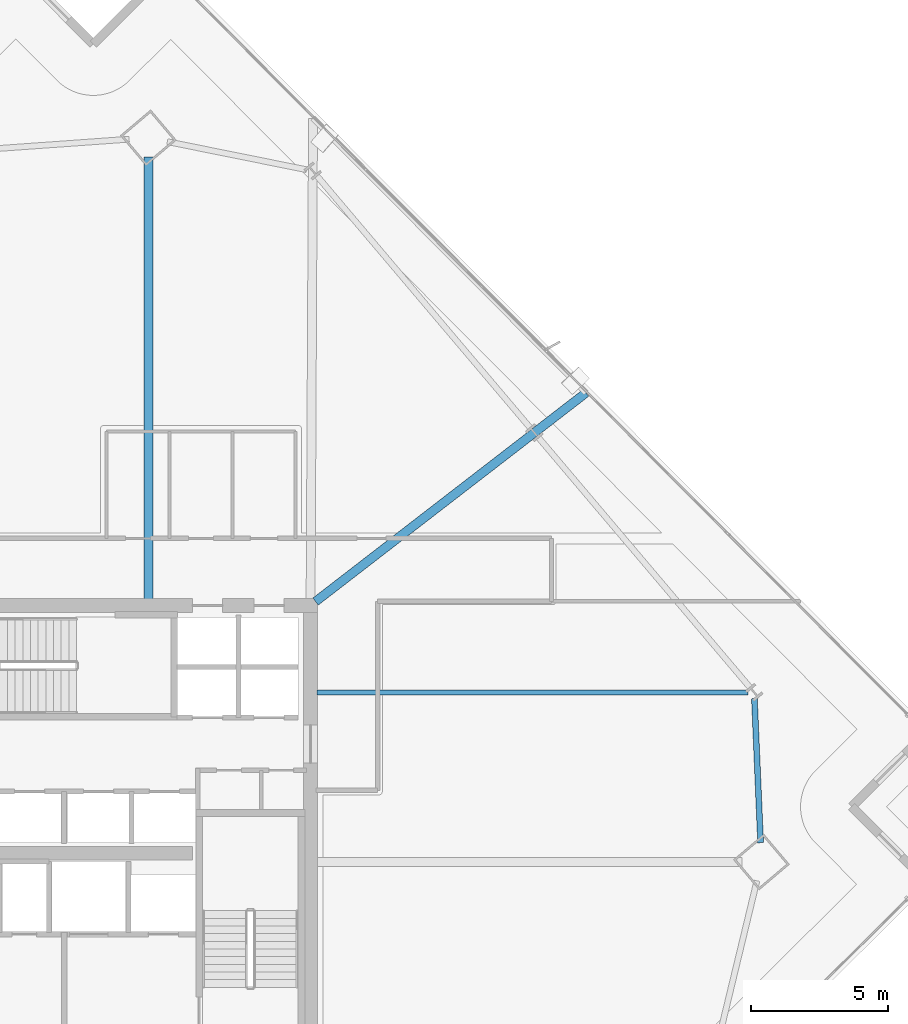
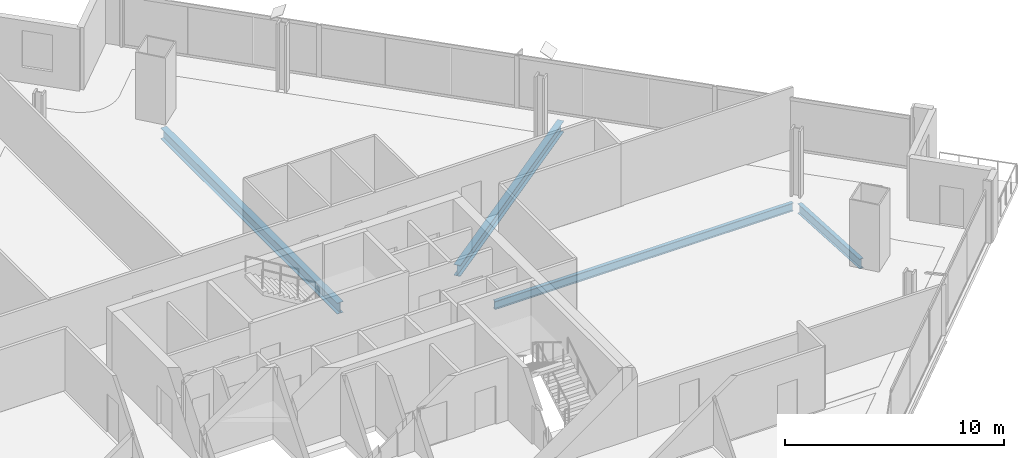
# One storey, part 18 of 32: 4 beams.
"""IFC4 building model written with IfcOpenShell, lengths in metres."""

from ifc_helpers import new_model, si_unit, direction, frame, origin, origin_2d, place, context, subcontext, project, spatial, i_section, extrude, material, material_profile, profile_set, type_object, element, save


model = new_model("IFC4")

# Units and contexts
model_context = context("Model", 3, precision=1e-05, world=origin(), true_north=direction((0.0, 1.0)))
body_context = subcontext(model_context, "Body", "Model", "MODEL_VIEW")
ifc_project = project(units=[si_unit("LENGTHUNIT", "METRE"), si_unit("AREAUNIT", "SQUARE_METRE"), si_unit("VOLUMEUNIT", "CUBIC_METRE"), si_unit("PLANEANGLEUNIT", "RADIAN"), si_unit("MASSUNIT", "GRAM", prefix="KILO")], contexts=[model_context])

# Site, building, storey
site_placement = place(None, origin())
site = spatial("IfcSite", under=ifc_project, at=site_placement, CompositionType="ELEMENT")
building_placement = place(site_placement, origin())
building = spatial("IfcBuilding", under=site, at=building_placement, Name="Haldenkirk Collegiate Tower", CompositionType="ELEMENT")
storey_placement = place(building_placement, frame((0.0, 0.0, 178.199951171875)))
storey = spatial("IfcBuildingStorey", under=building, at=storey_placement, Name="L44", CompositionType="ELEMENT", Elevation=178.199951171875)

# Beams
ifc_material = material(Name="Steel ASTM A992 Grade 50", Category="steel")
ifc_material_profile_1 = material_profile(ifc_material, i_section(OverallWidth=0.324951171875, OverallDepth=0.615966796875, WebThickness=0.013916015625, FlangeThickness=0.021484375, at=origin_2d()), Name="W24X117")
ifc_profile_set_1 = profile_set([ifc_material_profile_1], Name="Steel ASTM A992 Grade 50")
beam_type_1 = type_object("IfcBeamType", Name="BM-GIRDER-W24X117", PredefinedType="BEAM", material=ifc_profile_set_1)
beam_1_placement = place(storey_placement, frame((39.076904296875, 50.3701171875, -0.597900390625), z_axis=(0.0, -1.0, 0.0), x_axis=(1.0, 0.0, 0.0)))
element("IfcBeam", 1, at=beam_1_placement, inside=storey, type_object=beam_type_1, Name="L44 primary floor girder 03", PredefinedType="BEAM", context=body_context, shape_type="SweptSolid", body=[
    extrude(i_section(OverallWidth=0.324951171875, OverallDepth=0.615966796875, WebThickness=0.013916015625, FlangeThickness=0.021484375, at=origin_2d()), origin(), (0.0, 0.0, 1.0), 16.14013671875),
])
beam_2_placement = place(storey_placement, frame((55.05908203125, 41.764404296875, -0.597900390625), z_axis=(-0.791601611946, -0.611037550372, 0.0), x_axis=(0.611037550372, -0.791601611946, 0.0)))
element("IfcBeam", 2, at=beam_2_placement, inside=storey, type_object=beam_type_1, Name="L44 primary floor girder 09", PredefinedType="BEAM", context=body_context, shape_type="SweptSolid", body=[
    extrude(i_section(OverallWidth=0.324951171875, OverallDepth=0.615966796875, WebThickness=0.013916015625, FlangeThickness=0.021484375, at=origin_2d()), origin(), (0.0, 0.0, 1.0), 12.477294921875),
])
ifc_material_profile_2 = material_profile(ifc_material, i_section(OverallWidth=0.18994140625, OverallDepth=0.45703125, WebThickness=0.009033203125, FlangeThickness=0.014404296875, at=origin_2d()), Name="W18X50")
ifc_profile_set_2 = profile_set([ifc_material_profile_2], Name="Steel ASTM A992 Grade 50")
beam_type_2 = type_object("IfcBeamType", Name="BM-JOIST-W18X50", PredefinedType="JOIST", material=ifc_profile_set_2)
beam_3_placement = place(storey_placement, frame((60.970458984375, 30.82421875, -0.5185546875), z_axis=(-1.0, 0.0, 0.0), x_axis=(0.0, -1.0, 0.0)))
element("IfcBeam", 3, at=beam_3_placement, inside=storey, type_object=beam_type_2, Name="L44 composite floor joist 08", PredefinedType="JOIST", context=body_context, shape_type="SweptSolid", body=[
    extrude(i_section(OverallWidth=0.18994140625, OverallDepth=0.45703125, WebThickness=0.009033203125, FlangeThickness=0.014404296875, at=origin_2d()), origin(), (0.0, 0.0, 1.0), 15.740478515625),
])
ifc_material_profile_3 = material_profile(ifc_material, i_section(OverallWidth=0.2119140625, OverallDepth=0.5439453125, WebThickness=0.01318359375, FlangeThickness=0.021240234375, at=origin_2d()), Name="W21X83")
ifc_profile_set_3 = profile_set([ifc_material_profile_3], Name="Steel ASTM A992 Grade 50")
beam_type_3 = type_object("IfcBeamType", Name="BM-SPANDREL-W21X83", PredefinedType="SPANDREL", material=ifc_profile_set_3)
beam_4_placement = place(storey_placement, frame((61.434814453125, 25.33349609375, -0.56201171875), z_axis=(-0.042833703015, 0.999082215779, 0.0), x_axis=(-0.999082215779, -0.042833703015, 0.0)))
element("IfcBeam", 4, at=beam_4_placement, inside=storey, type_object=beam_type_3, Name="L44 perimeter spandrel beam 05", PredefinedType="SPANDREL", context=body_context, shape_type="SweptSolid", body=[
    extrude(i_section(OverallWidth=0.2119140625, OverallDepth=0.5439453125, WebThickness=0.01318359375, FlangeThickness=0.021240234375, at=origin_2d()), origin(), (0.0, 0.0, 1.0), 5.2666015625),
])

save(model, "model.ifc")
